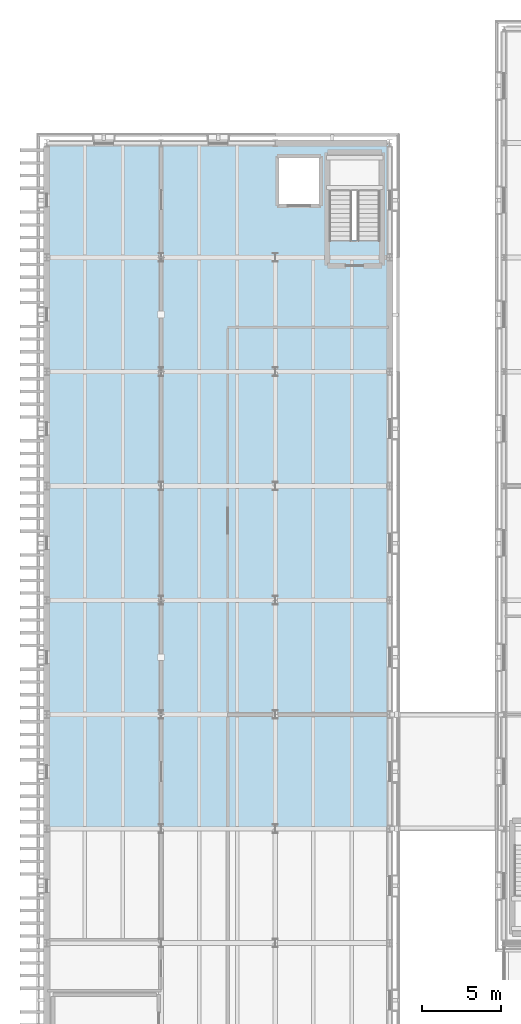
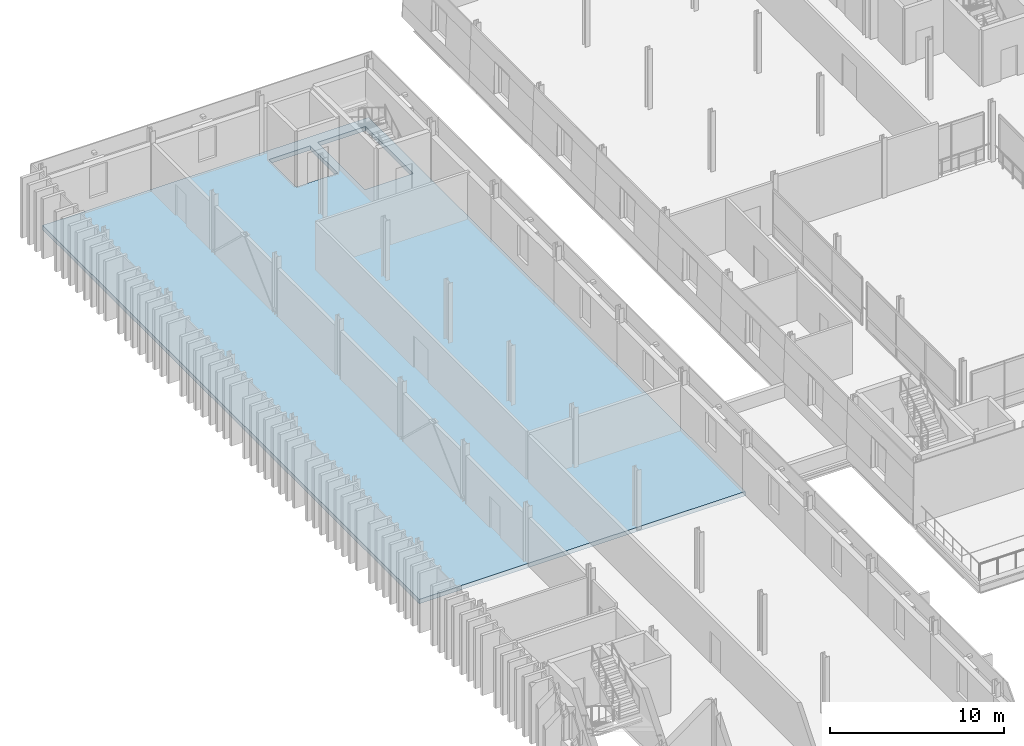
# One storey, part 44 of 91: 1 slab.
"""IFC4 building model written with IfcOpenShell, lengths in metres."""

from ifc_helpers import new_model, si_unit, direction, frame, origin, place, context, subcontext, project, spatial, polyline, outline, extrude, material, layer, layer_set, type_object, element, save


model = new_model("IFC4")

# Units and contexts
model_context = context("Model", 3, precision=1e-05, world=origin(), true_north=direction((0.0, 1.0)))
body_context = subcontext(model_context, "Body", "Model", "MODEL_VIEW")
ifc_project = project(units=[si_unit("LENGTHUNIT", "METRE"), si_unit("AREAUNIT", "SQUARE_METRE"), si_unit("VOLUMEUNIT", "CUBIC_METRE"), si_unit("PLANEANGLEUNIT", "RADIAN"), si_unit("MASSUNIT", "GRAM", prefix="KILO")], contexts=[model_context])

# Site, building, storey
site_placement = place(None, origin())
site = spatial("IfcSite", under=ifc_project, at=site_placement, CompositionType="ELEMENT")
building_placement = place(site_placement, origin())
building = spatial("IfcBuilding", under=site, at=building_placement, Name="Narikvali Park Central Library", CompositionType="ELEMENT")
storey_placement = place(building_placement, frame((0.0, 0.0, 14.39990234375)))
storey = spatial("IfcBuildingStorey", under=building, at=storey_placement, Name="L03", CompositionType="ELEMENT", Elevation=14.39990234375)

# Slab
ifc_material = material(Name="Concrete C40/50", Category="concrete")
ifc_layer = layer(ifc_material, 0.300048828125, Name="Concrete C40/50")
ifc_layer_set = layer_set([ifc_layer], Name="Concrete C40/50")
slab_type = type_object("IfcSlabType", Name="Heavy Stack Composite Slab 300", PredefinedType="FLOOR", material=ifc_layer_set)
slab_placement = place(storey_placement, frame((0.0, 0.0, -0.2998046875)))
element("IfcSlab", 1, at=slab_placement, inside=storey, type_object=slab_type, Name="V5 L03 Structural Slab Panel 2", PredefinedType="FLOOR", context=body_context, shape_type="SweptSolid", body=[
    extrude(outline(polyline([(0.0, 64.800048828125), (21.60009765625, 64.800048828125), (21.60009765625, 108.0), (0.0, 108.0), (0.0, 64.800048828125)]), holes=[polyline([(17.800048828125, 101.85009765625), (21.0, 101.85009765625), (21.0, 107.300048828125), (17.800048828125, 107.300048828125), (17.800048828125, 101.85009765625)]), polyline([(14.52001953125, 104.050048828125), (17.27001953125, 104.050048828125), (17.27001953125, 107.199951171875), (14.52001953125, 107.199951171875), (14.52001953125, 104.050048828125)])]), origin(), (0.0, 0.0, 1.0), 0.2998046875),
])

save(model, "model.ifc")
